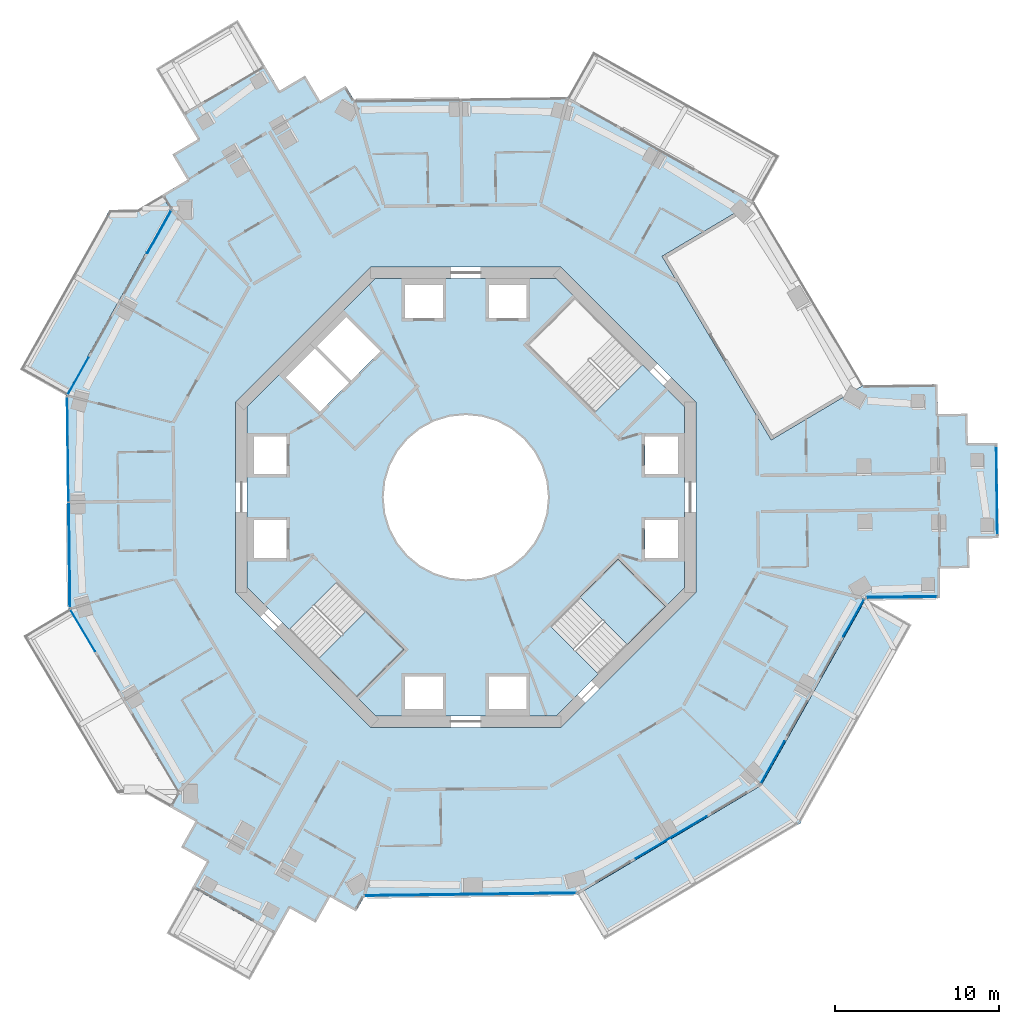
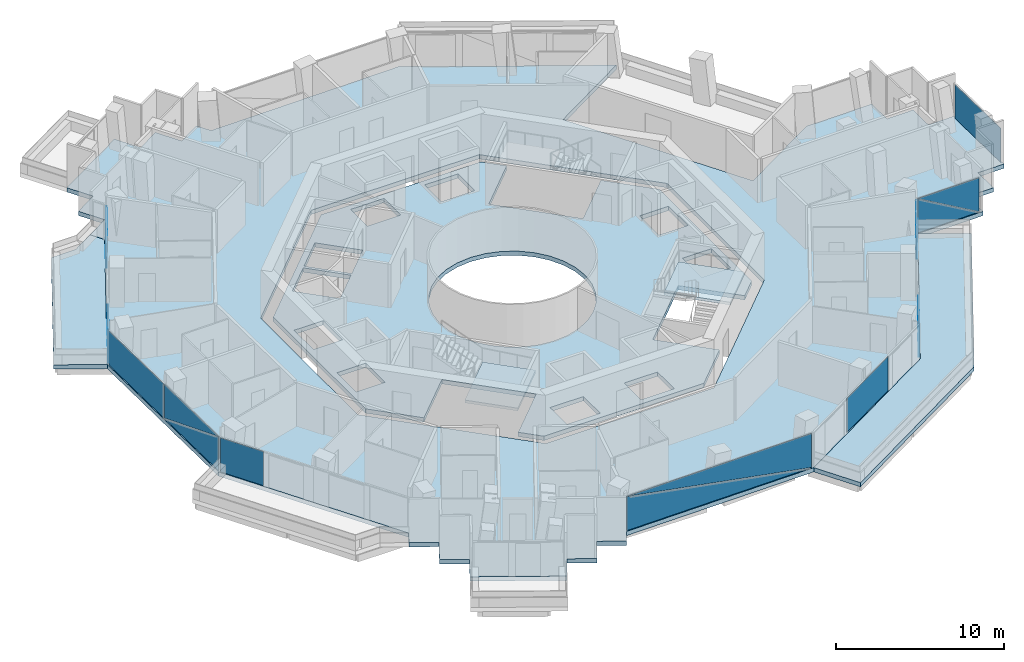
# One storey, part 11 of 21: 15 plates, 6 slabs, 10 elements without a shape of their own.
"""IFC4 building model written with IfcOpenShell, lengths in metres."""

import ifcopenshell
import ifcopenshell.guid

model = None  # the IFC model being written
_history = None  # IfcOwnerHistory: only IFC2X3 demands one
_inside = {}  # id of a spatial element -> (the spatial element, [elements in it])
_under = {}  # id of a project, library or spatial element -> (it, [spatial elements below it])
_declared = {}  # id of a project -> (the project, [libraries it declares])
_typed = {}  # id of a type object -> (the type object, [elements of that type])
_made_of = {}  # id of a material, layer set ... -> (it, [elements and type objects made of it])


def new_model(schema):
    """Start an empty IFC model of exactly this schema.

    Asked for "IFC4X3", IfcOpenShell would pick the latest addendum, in which some entities
    have other attributes; the version numbers below select the first issue.
    IFC2X3 requires an IfcOwnerHistory on every rooted entity: one is made here for all.
    """
    global model, _history
    if schema == "IFC4X3":
        model = ifcopenshell.file(schema_version=(4, 3, 0, 0))
    else:
        model = ifcopenshell.file(schema=schema)
    _inside.clear()
    _under.clear()
    _declared.clear()
    _typed.clear()
    _made_of.clear()
    _history = None
    if model.schema == "IFC2X3":
        org = make("IfcOrganization", Name="unknown")
        user = make(
            "IfcPersonAndOrganization",
            ThePerson=make("IfcPerson", FamilyName="unknown"),
            TheOrganization=org,
        )
        app = make(
            "IfcApplication",
            ApplicationDeveloper=org,
            Version="unknown",
            ApplicationFullName="unknown",
            ApplicationIdentifier="unknown",
        )
        _history = make(
            "IfcOwnerHistory",
            OwningUser=user,
            OwningApplication=app,
            ChangeAction="ADDED",
            CreationDate=0,
        )
    return model


def make(cls, **values):
    """One entity of the class cls with the attributes given. An attribute that is None is left unset."""
    return model.create_entity(
        cls, **{name: value for name, value in values.items() if value is not None}
    )


def rooted(cls, **values):
    """An entity with a GlobalId (a new one), such as an element, a storey or a relation."""
    return make(cls, GlobalId=ifcopenshell.guid.new(), OwnerHistory=_history, **values)


def si_unit(unit_type, name, prefix=None):
    """IfcSIUnit, for example si_unit("LENGTHUNIT", "METRE", prefix="MILLI")."""
    return make("IfcSIUnit", UnitType=unit_type, Prefix=prefix, Name=name)


def assignment(units):
    """IfcUnitAssignment: the units of a project."""
    return None if units is None else make("IfcUnitAssignment", Units=units)


def point(xyz):
    """IfcCartesianPoint."""
    return None if xyz is None else make("IfcCartesianPoint", Coordinates=xyz)


def direction(xyz):
    """IfcDirection."""
    return None if xyz is None else make("IfcDirection", DirectionRatios=xyz)


def frame(location, z_axis=None, x_axis=None):
    """IfcAxis2Placement3D, a coordinate frame: its origin and axes. An axis left out is left unset."""
    return make(
        "IfcAxis2Placement3D",
        Location=point(location),
        Axis=direction(z_axis),
        RefDirection=direction(x_axis),
    )


def frame_2d(location, x_axis=None):
    """IfcAxis2Placement2D, a coordinate frame in the plane: its origin and x axis."""
    return make(
        "IfcAxis2Placement2D", Location=point(location), RefDirection=direction(x_axis)
    )


def origin():
    """The frame at (0, 0, 0) with its axes left unset."""
    return frame((0.0, 0.0, 0.0))


def origin_2d():
    """The frame at (0, 0) in the plane with its x axis left unset."""
    return frame_2d((0.0, 0.0))


def place(relative_to, where):
    """IfcLocalPlacement: puts the frame where relative to a parent placement (None: the world)."""
    return make(
        "IfcLocalPlacement", PlacementRelTo=relative_to, RelativePlacement=where
    )


def context(
    kind, dimensions, precision=None, world=None, true_north=None, identifier=None
):
    """IfcGeometricRepresentationContext, for example the 3D "Model" context."""
    return make(
        "IfcGeometricRepresentationContext",
        ContextIdentifier=identifier,
        ContextType=kind,
        CoordinateSpaceDimension=dimensions,
        Precision=precision,
        WorldCoordinateSystem=world,
        TrueNorth=true_north,
    )


def subcontext(parent, identifier, kind, view, scale=None):
    """IfcGeometricRepresentationSubContext, for example "Body" below "Model"."""
    return make(
        "IfcGeometricRepresentationSubContext",
        ContextIdentifier=identifier,
        ContextType=kind,
        ParentContext=parent,
        TargetScale=scale,
        TargetView=view,
    )


def project(units=None, contexts=None):
    """IfcProject with its units and contexts."""
    return rooted(
        "IfcProject",
        Name="project",
        RepresentationContexts=contexts,
        UnitsInContext=assignment(units),
    )


def spatial(cls, under=None, at=None, **own):
    """A site, building, storey or space (cls), placed at a placement, below another one or the project."""
    s = rooted(cls, ObjectPlacement=at, **own)
    if under is not None:
        _under.setdefault(under.id(), (under, []))[1].append(s)
    return s


def polyline(points):
    """IfcPolyline through the points."""
    return make("IfcPolyline", Points=[point(p) for p in points])


def profile(cls, at=None, kind="AREA", **sizes):
    """A parametric profile (cls). Its sizes go by their IFC names, for example OverallWidth=200.0."""
    return make(cls, ProfileType=kind, Position=at, **sizes)


def rectangle(**sizes):
    """IfcRectangleProfileDef."""
    return profile("IfcRectangleProfileDef", **sizes)


def outline(outer, holes=None, kind="AREA"):
    """IfcArbitraryClosedProfileDef: a profile drawn as a closed curve; with holes, ...WithVoids."""
    if holes is None:
        return make("IfcArbitraryClosedProfileDef", ProfileType=kind, OuterCurve=outer)
    return make(
        "IfcArbitraryProfileDefWithVoids",
        ProfileType=kind,
        OuterCurve=outer,
        InnerCurves=holes,
    )


def extrude(swept, where, along, depth):
    """IfcExtrudedAreaSolid: the profile swept, set in the frame where, extruded along a direction by depth."""
    return make(
        "IfcExtrudedAreaSolid",
        SweptArea=swept,
        Position=where,
        ExtrudedDirection=direction(along),
        Depth=depth,
    )


def shape(context_of_items, identifier, shape_type, items):
    """IfcShapeRepresentation: the items that make up one representation, for example the "Body"."""
    return make(
        "IfcShapeRepresentation",
        ContextOfItems=context_of_items,
        RepresentationIdentifier=identifier,
        RepresentationType=shape_type,
        Items=items,
    )


def material(Name=None, Category=None):
    """IfcMaterial."""
    return make("IfcMaterial", Name=Name, Category=Category)


def layer(
    of_material, thickness, ventilated=None, Name=None, Category=None, Priority=None
):
    """IfcMaterialLayer: one layer of a wall or slab, of a material (None: an air gap)."""
    return make(
        "IfcMaterialLayer",
        Material=of_material,
        LayerThickness=thickness,
        IsVentilated=ventilated,
        Name=Name,
        Category=Category,
        Priority=Priority,
    )


def layer_set(layers, Name=None):
    """IfcMaterialLayerSet."""
    return make("IfcMaterialLayerSet", MaterialLayers=layers, LayerSetName=Name)


def made_of(thing, what):
    """Note that an element or type object is made of a material, layer set ...; save() writes the relation."""
    if what is not None:
        _made_of.setdefault(what.id(), (what, []))[1].append(thing)
    return thing


def type_object(cls, material=None, **own):
    """A type object (cls), such as IfcWallType, which elements share."""
    return made_of(rooted(cls, **own), material)


def element(
    cls,
    number,
    at=None,
    inside=None,
    cuts=None,
    type_object=None,
    material=None,
    context=None,
    identifier="Body",
    shape_type=None,
    held_by="IfcProductDefinitionShape",
    body=None,
    shapes=None,
    **own,
):
    """One element of the class cls, such as IfcWall. Its Tag is "e" and its number.

    at: its placement. inside: the storey or other place that contains it. cuts: it is an
    opening in that element (IfcRelVoidsElement). A single representation is given by context,
    identifier, shape_type and body (its items); several are given by shapes. held_by: the class
    of the entity that holds the representations. save() writes the other relations.
    """
    e = rooted(cls, Tag="e%d" % number, ObjectPlacement=at, **own)
    if body is not None:
        shapes = [shape(context, identifier, shape_type, body)]
    if shapes is not None:
        e.Representation = make(held_by, Representations=shapes)
    if inside is not None:
        _inside.setdefault(inside.id(), (inside, []))[1].append(e)
    if cuts is not None:
        rooted(
            "IfcRelVoidsElement", RelatingBuildingElement=cuts, RelatedOpeningElement=e
        )
    if type_object is not None:
        _typed.setdefault(type_object.id(), (type_object, []))[1].append(e)
    return made_of(e, material)


def aggregate(whole, parts):
    """IfcRelAggregates: a whole, such as a stair, and the parts it consists of."""
    return rooted("IfcRelAggregates", RelatingObject=whole, RelatedObjects=parts)


def save(model, path):
    """Write the relations noted so far, then the file.

    IfcRelAggregates (storeys below a building ...), IfcRelContainedInSpatialStructure (elements
    in a storey), IfcRelDefinesByType, IfcRelAssociatesMaterial and IfcRelDeclares: one each for
    every whole, place, type object, material and project.
    """
    for whole, parts in _under.values():
        aggregate(whole, parts)
    for where, things in _inside.values():
        rooted(
            "IfcRelContainedInSpatialStructure",
            RelatedElements=things,
            RelatingStructure=where,
        )
    for kind, things in _typed.values():
        rooted("IfcRelDefinesByType", RelatedObjects=things, RelatingType=kind)
    for what, things in _made_of.values():
        rooted("IfcRelAssociatesMaterial", RelatedObjects=things, RelatingMaterial=what)
    for by, libraries in _declared.values():
        rooted("IfcRelDeclares", RelatingContext=by, RelatedDefinitions=libraries)
    model.write(path)


model = new_model("IFC4")

# Units and contexts
model_context = context("Model", 3, precision=1e-05, world=origin(), true_north=direction((0.0, 1.0)))
body_context = subcontext(model_context, "Body", "Model", "MODEL_VIEW")
ifc_project = project(units=[si_unit("LENGTHUNIT", "METRE"), si_unit("AREAUNIT", "SQUARE_METRE"), si_unit("VOLUMEUNIT", "CUBIC_METRE"), si_unit("PLANEANGLEUNIT", "RADIAN"), si_unit("MASSUNIT", "GRAM", prefix="KILO")], contexts=[model_context])

# Site, building, storey
site_placement = place(None, origin())
site = spatial("IfcSite", under=ifc_project, at=site_placement, CompositionType="ELEMENT")
building_placement = place(site_placement, origin())
building = spatial("IfcBuilding", under=site, at=building_placement, Name="Verdalira Terraces Hotel", CompositionType="ELEMENT")
storey_placement = place(building_placement, frame((0.0, 0.0, 158.5)))
storey = spatial("IfcBuildingStorey", under=building, at=storey_placement, Name="L38", CompositionType="ELEMENT", Elevation=158.5)

# Slabs
ifc_material_1 = material(Name="Precast concrete C40/50", Category="concrete")
ifc_layer_1 = layer(ifc_material_1, 0.31005859375)
ifc_layer_set_1 = layer_set([ifc_layer_1], Name="Balcony deck 310")
slab_type_1 = type_object("IfcSlabType", Name="Balcony deck 310", PredefinedType="FLOOR", material=ifc_layer_set_1)
slab_1_placement = place(storey_placement, frame((0.0, 0.0, -0.310059)))
element("IfcSlab", 1, at=slab_1_placement, inside=storey, type_object=slab_type_1, Name="Balcony deck", PredefinedType="FLOOR", context=body_context, shape_type="SweptSolid", body=[
    extrude(outline(polyline([(-21.674805, 17.487305), (-27.12915, 7.759766), (-24.338135, 6.19458), (-17.97998, 17.533691), (-18.490967, 18.393555), (-19.97998, 17.508545), (-21.674805, 17.487305)])), origin(), (0.0, 0.0, 1.0), 0.310059),
])
slab_2_placement = place(storey_placement, frame((0.0, 0.0, -0.310059)))
element("IfcSlab", 2, at=slab_2_placement, inside=storey, type_object=slab_type_1, Name="Balcony deck", PredefinedType="FLOOR", context=body_context, shape_type="SweptSolid", body=[
    extrude(outline(polyline([(27.12915, -7.759766), (24.338135, -6.19458), (17.97998, -17.533691), (6.804199, -24.174805), (8.438965, -26.925781), (20.351807, -19.84668), (27.12915, -7.759766)])), origin(), (0.0, 0.0, 1.0), 0.310059),
])

# Curtain wall, plates
ifc_material_2 = material(Name="Clear glass", Category="glass")
ifc_layer_2 = layer(ifc_material_2, 0.14990234375)
ifc_layer_set_2 = layer_set([ifc_layer_2], Name="CW1 curtain wall")
curtain_wall_type_1 = type_object("IfcCurtainWallType", Name="CW1 curtain wall", PredefinedType="NOTDEFINED", material=ifc_layer_set_2)
curtain_wall_1_placement = place(storey_placement, origin())
curtain_wall_1 = element("IfcCurtainWall", 3, at=curtain_wall_1_placement, inside=storey, type_object=curtain_wall_type_1, Name="CW1 curtain wall L38 edge 11", PredefinedType="NOTDEFINED")
ifc_material_3 = material(Name="Clear glass", Category="glass")
ifc_layer_3 = layer(ifc_material_3, 0.028076171875)
ifc_layer_set_3 = layer_set([ifc_layer_3], Name="CW1 glass unit 28")
plate_type_1 = type_object("IfcPlateType", Name="CW1 glass unit 28", PredefinedType="CURTAIN_PANEL", material=ifc_layer_set_3)
plate_1_placement = place(storey_placement, frame((-18.656738, 16.144775, 1.237549), z_axis=(-0.872240046, 0.489078012, 0.0), x_axis=(-0.489078012, -0.872240046, 0.0)))
plate_1 = element("IfcPlate", 4, at=plate_1_placement, type_object=plate_type_1, Name="CW1 glass unit", PredefinedType="CURTAIN_PANEL", context=body_context, shape_type="SweptSolid", body=[
    extrude(outline(polyline([(-1.482422, -1.237549), (1.482422, -1.237549), (1.482422, 1.237549), (-1.482422, -1.237549)])), origin(), (0.0, 0.0, 1.0), 0.028076),
])
plate_2_placement = place(storey_placement, frame((-18.631348, 16.130615, 1.237549), z_axis=(-0.872240046, 0.489078012, 0.0), x_axis=(-0.489078012, -0.872240046, 0.0)))
plate_2 = element("IfcPlate", 5, at=plate_2_placement, type_object=plate_type_1, Name="CW1 glass unit", PredefinedType="CURTAIN_PANEL", context=body_context, shape_type="SweptSolid", body=[
    extrude(outline(polyline([(-1.482422, -1.237549), (1.482422, 1.237549), (-1.482422, 1.237549), (-1.482422, -1.237549)])), origin(), (0.0, 0.0, 1.0), 0.028076),
])
plate_3_placement = place(storey_placement, frame((-23.59668, 7.36377, 0.0), z_axis=(0.0, 0.0, 1.0), x_axis=(-0.489078012, -0.872240046, 0.0)))
plate_3 = element("IfcPlate", 6, at=plate_3_placement, type_object=plate_type_1, Name="CW1 glass unit", PredefinedType="CURTAIN_PANEL", context=body_context, shape_type="SweptSolid", body=[
    extrude(rectangle(XDim=2.564209, YDim=0.028076, at=origin_2d()), origin(), (0.0, 0.0, 1.0), 2.475098),
])
aggregate(curtain_wall_1, [plate_1, plate_2, plate_3])

curtain_wall_2_placement = place(storey_placement, origin())
curtain_wall_2 = element("IfcCurtainWall", 7, at=curtain_wall_2_placement, inside=storey, type_object=curtain_wall_type_1, Name="CW1 curtain wall L38 edge 12", PredefinedType="NOTDEFINED")
plate_4_placement = place(storey_placement, frame((-24.221924, 2.910645, 0.0), z_axis=(0.0, 0.0, 1.0), x_axis=(0.01256604, -0.999921044, 0.0)))
plate_4 = element("IfcPlate", 8, at=plate_4_placement, type_object=plate_type_1, Name="CW1 glass unit", PredefinedType="CURTAIN_PANEL", context=body_context, shape_type="SweptSolid", body=[
    extrude(rectangle(XDim=6.369873, YDim=0.028076, at=origin_2d()), origin(), (0.0, 0.0, 1.0), 2.475098),
])
plate_5_placement = place(storey_placement, frame((-24.127197, -3.518311, 1.237549), z_axis=(-0.999921044, -0.01256604, 0.0), x_axis=(0.01256604, -0.999921044, 0.0)))
plate_5 = element("IfcPlate", 9, at=plate_5_placement, type_object=plate_type_1, Name="CW1 glass unit", PredefinedType="CURTAIN_PANEL", context=body_context, shape_type="SweptSolid", body=[
    extrude(outline(polyline([(-3.185059, -1.237549), (3.185059, -1.237549), (3.185059, 1.237549), (-3.185059, -1.237549)])), origin(), (0.0, 0.0, 1.0), 0.028076),
])
plate_6_placement = place(storey_placement, frame((-24.098145, -3.518066, 1.237549), z_axis=(-0.999921044, -0.01256604, 0.0), x_axis=(0.01256604, -0.999921044, 0.0)))
plate_6 = element("IfcPlate", 10, at=plate_6_placement, type_object=plate_type_1, Name="CW1 glass unit", PredefinedType="CURTAIN_PANEL", context=body_context, shape_type="SweptSolid", body=[
    extrude(outline(polyline([(-3.185059, -1.237549), (3.185059, 1.237549), (-3.185059, 1.237549), (-3.185059, -1.237549)])), origin(), (0.0, 0.0, 1.0), 0.028076),
])
aggregate(curtain_wall_2, [plate_4, plate_5, plate_6])

# Curtain wall, plate
curtain_wall_3_placement = place(storey_placement, origin())
curtain_wall_3 = element("IfcCurtainWall", 11, at=curtain_wall_3_placement, inside=storey, type_object=curtain_wall_type_1, Name="CW1 curtain wall L38 edge 13", PredefinedType="NOTDEFINED")
plate_7_placement = place(storey_placement, frame((-23.312012, -8.109375, 0.0), z_axis=(0.0, 0.0, 1.0), x_axis=(0.510843032, -0.859674006, 0.0)))
plate_7 = element("IfcPlate", 12, at=plate_7_placement, type_object=plate_type_1, Name="CW1 glass unit", PredefinedType="CURTAIN_PANEL", context=body_context, shape_type="SweptSolid", body=[
    extrude(rectangle(XDim=2.924805, YDim=0.028076, at=origin_2d()), origin(), (0.0, 0.0, 1.0), 2.475098),
])
aggregate(curtain_wall_3, [plate_7])

# Curtain wall, plates
curtain_wall_4_placement = place(storey_placement, origin())
curtain_wall_4 = element("IfcCurtainWall", 13, at=curtain_wall_4_placement, inside=storey, type_object=curtain_wall_type_1, Name="CW1 curtain wall L38 edge 25", PredefinedType="NOTDEFINED")
plate_8_placement = place(storey_placement, frame((0.283447, -24.167725, 1.237549), z_axis=(0.01256604, -0.999921044, 0.0), x_axis=(0.999921044, 0.01256604, 0.0)))
plate_8 = element("IfcPlate", 14, at=plate_8_placement, type_object=plate_type_1, Name="CW1 glass unit", PredefinedType="CURTAIN_PANEL", context=body_context, shape_type="SweptSolid", body=[
    extrude(outline(polyline([(-6.419922, -1.237549), (6.419922, -1.237549), (-6.419922, 1.237549), (-6.419922, -1.237549)])), origin(), (0.0, 0.0, 1.0), 0.028076),
])
plate_9_placement = place(storey_placement, frame((0.283203, -24.138672, 1.237549), z_axis=(0.01256604, -0.999921044, 0.0), x_axis=(0.999921044, 0.01256604, 0.0)))
plate_9 = element("IfcPlate", 15, at=plate_9_placement, type_object=plate_type_1, Name="CW1 glass unit", PredefinedType="CURTAIN_PANEL", context=body_context, shape_type="SweptSolid", body=[
    extrude(outline(polyline([(6.419922, -1.237549), (6.419922, 1.237549), (-6.419922, 1.237549), (6.419922, -1.237549)])), origin(), (0.0, 0.0, 1.0), 0.028076),
])
aggregate(curtain_wall_4, [plate_8, plate_9])

# Curtain wall, plate
curtain_wall_5_placement = place(storey_placement, origin())
curtain_wall_5 = element("IfcCurtainWall", 16, at=curtain_wall_5_placement, inside=storey, type_object=curtain_wall_type_1, Name="CW1 curtain wall L38 edge 26", PredefinedType="NOTDEFINED")
plate_10_placement = place(storey_placement, frame((12.507568, -20.698486, 0.0), z_axis=(0.0, 0.0, 1.0), x_axis=(0.859674006, 0.510843032, 0.0)))
plate_10 = element("IfcPlate", 17, at=plate_10_placement, type_object=plate_type_1, Name="CW1 glass unit", PredefinedType="CURTAIN_PANEL", context=body_context, shape_type="SweptSolid", body=[
    extrude(rectangle(XDim=5.021729, YDim=0.028076, at=origin_2d()), origin(), (0.0, 0.0, 1.0), 2.475098),
])
aggregate(curtain_wall_5, [plate_10])

# Curtain wall, plates
curtain_wall_6_placement = place(storey_placement, origin())
curtain_wall_6 = element("IfcCurtainWall", 18, at=curtain_wall_6_placement, inside=storey, type_object=curtain_wall_type_1, Name="CW1 curtain wall L38 edge 27", PredefinedType="NOTDEFINED")
plate_11_placement = place(storey_placement, frame((18.678955, -16.134033, 0.0), z_axis=(0.0, 0.0, 1.0), x_axis=(0.489078012, 0.872240046, 0.0)))
plate_11 = element("IfcPlate", 19, at=plate_11_placement, type_object=plate_type_1, Name="CW1 glass unit", PredefinedType="CURTAIN_PANEL", context=body_context, shape_type="SweptSolid", body=[
    extrude(rectangle(XDim=2.924805, YDim=0.028076, at=origin_2d()), origin(), (0.0, 0.0, 1.0), 2.475098),
])
plate_12_placement = place(storey_placement, frame((23.606445, -7.346191, 0.0), z_axis=(0.0, 0.0, 1.0), x_axis=(0.489078012, 0.872240046, 0.0)))
plate_12 = element("IfcPlate", 20, at=plate_12_placement, type_object=plate_type_1, Name="CW1 glass unit", PredefinedType="CURTAIN_PANEL", context=body_context, shape_type="SweptSolid", body=[
    extrude(rectangle(XDim=2.604492, YDim=0.028076, at=origin_2d()), origin(), (0.0, 0.0, 1.0), 2.475098),
])
aggregate(curtain_wall_6, [plate_11, plate_12])

ifc_material_4 = material(Name="Clear glass", Category="glass")
ifc_layer_4 = layer(ifc_material_4, 0.14990234375)
ifc_layer_set_4 = layer_set([ifc_layer_4], Name="CW2 curtain wall")
curtain_wall_type_2 = type_object("IfcCurtainWallType", Name="CW2 curtain wall", PredefinedType="NOTDEFINED", material=ifc_layer_set_4)
curtain_wall_7_placement = place(storey_placement, origin())
curtain_wall_7 = element("IfcCurtainWall", 21, at=curtain_wall_7_placement, inside=storey, type_object=curtain_wall_type_2, Name="CW2 curtain wall L38 edge 28", PredefinedType="NOTDEFINED")
ifc_material_5 = material(Name="Clear glass", Category="glass")
ifc_layer_5 = layer(ifc_material_5, 0.031982421875)
ifc_layer_set_5 = layer_set([ifc_layer_5], Name="CW2 glass unit 32")
plate_type_2 = type_object("IfcPlateType", Name="CW2 glass unit 32", PredefinedType="CURTAIN_PANEL", material=ifc_layer_set_5)
plate_13_placement = place(storey_placement, frame((26.528564, -6.076172, 1.237549), z_axis=(0.01256604, -0.999921044, 0.0), x_axis=(0.999921044, 0.01256604, 0.0)))
plate_13 = element("IfcPlate", 22, at=plate_13_placement, type_object=plate_type_2, Name="CW2 glass unit", PredefinedType="CURTAIN_PANEL", context=body_context, shape_type="SweptSolid", body=[
    extrude(outline(polyline([(-2.121826, -1.237549), (2.121826, -1.237549), (-2.121826, 1.237549), (-2.121826, -1.237549)])), origin(), (0.0, 0.0, 1.0), 0.031982),
])
plate_14_placement = place(storey_placement, frame((26.528076, -6.043213, 1.237549), z_axis=(0.01256604, -0.999921044, 0.0), x_axis=(0.999921044, 0.01256604, 0.0)))
plate_14 = element("IfcPlate", 23, at=plate_14_placement, type_object=plate_type_2, Name="CW2 glass unit", PredefinedType="CURTAIN_PANEL", context=body_context, shape_type="SweptSolid", body=[
    extrude(outline(polyline([(2.121826, -1.237549), (2.121826, 1.237549), (-2.121826, 1.237549), (2.121826, -1.237549)])), origin(), (0.0, 0.0, 1.0), 0.031982),
])
aggregate(curtain_wall_7, [plate_13, plate_14])

# Curtain wall, plate
ifc_material_6 = material(Name="Clear glass", Category="glass")
ifc_layer_6 = layer(ifc_material_6, 0.14990234375)
ifc_layer_set_6 = layer_set([ifc_layer_6], Name="CW3 curtain wall")
curtain_wall_type_3 = type_object("IfcCurtainWallType", Name="CW3 curtain wall", PredefinedType="NOTDEFINED", material=ifc_layer_set_6)
curtain_wall_8_placement = place(storey_placement, origin())
curtain_wall_8 = element("IfcCurtainWall", 24, at=curtain_wall_8_placement, inside=storey, type_object=curtain_wall_type_3, Name="CW3 curtain wall L38 edge 33", PredefinedType="NOTDEFINED")
ifc_material_7 = material(Name="Clear glass", Category="glass")
ifc_layer_7 = layer(ifc_material_7, 0.035888671875)
ifc_layer_set_7 = layer_set([ifc_layer_7], Name="CW3 glass unit 36")
plate_type_3 = type_object("IfcPlateType", Name="CW3 glass unit 36", PredefinedType="CURTAIN_PANEL", material=ifc_layer_set_7)
plate_15_placement = place(storey_placement, frame((32.314453, 0.406006, 0.0), z_axis=(0.0, 0.0, 1.0), x_axis=(-0.01256604, 0.999921044, 0.0)))
plate_15 = element("IfcPlate", 25, at=plate_15_placement, type_object=plate_type_3, Name="CW3 glass unit", PredefinedType="CURTAIN_PANEL", context=body_context, shape_type="SweptSolid", body=[
    extrude(rectangle(XDim=5.340088, YDim=0.035889, at=origin_2d()), origin(), (0.0, 0.0, 1.0), 2.475098),
])
aggregate(curtain_wall_8, [plate_15])

# Slab
ifc_material_8 = material(Name="Concrete C40", Category="concrete")
ifc_layer_8 = layer(ifc_material_8, 0.31005859375)
ifc_layer_set_8 = layer_set([ifc_layer_8], Name="Core floor slab 310 mm")
slab_type_2 = type_object("IfcSlabType", Name="Core floor slab 310 mm", PredefinedType="FLOOR", material=ifc_layer_set_8)
slab_3_placement = place(storey_placement, frame((0.0, 0.0, -0.310059)))
element("IfcSlab", 26, at=slab_3_placement, inside=storey, type_object=slab_type_2, Name="L38 core floor", PredefinedType="FLOOR", context=body_context, shape_type="SweptSolid", body=[
    extrude(outline(polyline([(-5.509033, 13.300049), (5.509033, 13.300049), (6.632812, 12.176514), (3.719482, 9.263184), (7.834473, 5.148193), (10.747803, 8.061279), (13.300049, 5.509033), (13.300049, -5.509033), (12.176514, -6.632812), (9.263184, -3.719482), (5.148193, -7.834473), (8.061279, -10.747803), (5.509033, -13.300049), (-5.509033, -13.300049), (-6.632812, -12.176514), (-3.719482, -9.263184), (-7.834473, -5.148193), (-10.747803, -8.061279), (-13.300049, -5.509033), (-13.300049, 5.509033), (-5.509033, 13.300049)]), holes=[polyline([(12.899902, -3.699951), (12.899902, -1.399902), (10.899902, -1.399902), (10.899902, -3.699951), (12.899902, -3.699951)]), polyline([(12.899902, 1.399902), (12.899902, 3.699951), (10.899902, 3.699951), (10.899902, 1.399902), (12.899902, 1.399902)]), polyline([(1.399902, 10.899902), (3.699951, 10.899902), (3.699951, 12.899902), (1.399902, 12.899902), (1.399902, 10.899902)]), polyline([(-3.699951, 10.899902), (-1.399902, 10.899902), (-1.399902, 12.899902), (-3.699951, 12.899902), (-3.699951, 10.899902)]), polyline([(-12.899902, 3.699951), (-12.899902, 1.399902), (-10.899902, 1.399902), (-10.899902, 3.699951), (-12.899902, 3.699951)]), polyline([(-12.899902, -1.399902), (-12.899902, -3.699951), (-10.899902, -3.699951), (-10.899902, -1.399902), (-12.899902, -1.399902)]), polyline([(-1.399902, -10.899902), (-3.699951, -10.899902), (-3.699951, -12.899902), (-1.399902, -12.899902), (-1.399902, -10.899902)]), polyline([(3.699951, -10.899902), (1.399902, -10.899902), (1.399902, -12.899902), (3.699951, -12.899902), (3.699951, -10.899902)]), polyline([(-9.051025, 9.192383), (-6.965088, 7.106445), (-5.197266, 8.874268), (-7.283203, 10.960205), (-9.051025, 9.192383)]), polyline([(-9.192383, 9.051025), (-10.960205, 7.283203), (-8.874268, 5.197266), (-7.106445, 6.965088), (-9.192383, 9.051025)]), polyline([(3.5354, 3.5354), (2.777832, 4.157227), (1.91333, 4.619385), (0.975586, 4.903809), (0.0, 5.0), (-0.975586, 4.903809), (-1.91333, 4.619385), (-2.777832, 4.157227), (-3.5354, 3.5354), (-4.157227, 2.777832), (-4.619385, 1.91333), (-4.903809, 0.975586), (-5.0, 0.0), (-4.903809, -0.975586), (-4.619385, -1.91333), (-4.157227, -2.777832), (-3.5354, -3.5354), (-2.777832, -4.157227), (-1.91333, -4.619385), (-0.975586, -4.903809), (0.0, -5.0), (0.975586, -4.903809), (1.91333, -4.619385), (2.777832, -4.157227), (3.5354, -3.5354), (4.157227, -2.777832), (4.619385, -1.91333), (4.903809, -0.975586), (5.0, 0.0), (4.903809, 0.975586), (4.619385, 1.91333), (4.157227, 2.777832), (3.5354, 3.5354)])]), origin(), (0.0, 0.0, 1.0), 0.310059),
])

# Stair, slab
ifc_material_9 = material(Name="Concrete C40", Category="concrete")
stair_type = type_object("IfcStairType", Name="Core stair 20 risers 2000 mm wide", PredefinedType="HALF_TURN_STAIR", material=ifc_material_9)
stair_1_placement = place(storey_placement, origin())
stair_1 = element("IfcStair", 27, at=stair_1_placement, inside=storey, type_object=stair_type, Name="L38 Exit stair ST2", PredefinedType="HALF_TURN_STAIR")
ifc_material_10 = material(Name="Concrete C40", Category="concrete")
ifc_layer_9 = layer(ifc_material_10, 0.199951171875)
ifc_layer_set_9 = layer_set([ifc_layer_9], Name="Core stair landing 200 mm")
slab_type_3 = type_object("IfcSlabType", Name="Core stair landing 200 mm", PredefinedType="LANDING", material=ifc_layer_set_9)
slab_4_placement = place(storey_placement, frame((0.0, 0.0, 1.550049)))
slab_4 = element("IfcSlab", 28, at=slab_4_placement, type_object=slab_type_3, Name="ST2 landing 1", PredefinedType="LANDING", context=body_context, shape_type="SweptSolid", body=[
    extrude(outline(polyline([(-8.966553, -9.842529), (-6.646729, -12.162354), (-3.747559, -9.263184), (-6.067383, -6.943359), (-8.966553, -9.842529)])), origin(), (0.0, 0.0, 1.0), 0.199951),
])
aggregate(stair_1, [slab_4])

stair_2_placement = place(storey_placement, origin())
stair_2 = element("IfcStair", 29, at=stair_2_placement, inside=storey, type_object=stair_type, Name="L38 Exit stair ST3", PredefinedType="HALF_TURN_STAIR")
slab_5_placement = place(storey_placement, frame((0.0, 0.0, 1.550049)))
slab_5 = element("IfcSlab", 30, at=slab_5_placement, type_object=slab_type_3, Name="ST3 landing 1", PredefinedType="LANDING", context=body_context, shape_type="SweptSolid", body=[
    extrude(outline(polyline([(9.842529, -8.966553), (12.162354, -6.646729), (9.263184, -3.747559), (6.943359, -6.067383), (9.842529, -8.966553)])), origin(), (0.0, 0.0, 1.0), 0.199951),
])
aggregate(stair_2, [slab_5])

# Slab
ifc_material_11 = material(Name="Concrete C40", Category="concrete")
ifc_layer_10 = layer(ifc_material_11, 0.31005859375)
ifc_layer_set_10 = layer_set([ifc_layer_10], Name="Floor slab 310 C40")
slab_type_4 = type_object("IfcSlabType", Name="Floor slab 310 C40", PredefinedType="FLOOR", material=ifc_layer_set_10)
slab_6_placement = place(storey_placement, frame((0.0, 0.0, -0.310059)))
element("IfcSlab", 31, at=slab_6_placement, inside=storey, type_object=slab_type_4, Name="Floor slab L38", PredefinedType="FLOOR", context=body_context, shape_type="SweptSolid", body=[
    extrude(outline(polyline([(28.730713, 5.061279), (28.708008, 6.861328), (24.175293, 6.804199), (24.175293, 6.804199), (18.58667, 3.483154), (11.945312, 14.659912), (17.533203, 17.980469), (6.19458, 24.338135), (-6.804199, 24.174805), (-7.315186, 25.034424), (-8.862549, 24.11499), (-9.781982, 25.662354), (-11.32959, 24.74292), (-12.249023, 26.290283), (-17.235107, 23.327393), (-16.315674, 21.779785), (-17.863037, 20.860352), (-16.943604, 19.312988), (-18.490967, 18.393555), (-17.97998, 17.533691), (-24.338135, 6.19458), (-24.174805, -6.804199), (-17.533691, -17.97998), (-18.022949, -18.852295), (-16.452881, -19.732666), (-17.333252, -21.302734), (-15.763184, -22.183105), (-16.643555, -23.753174), (-11.584473, -26.5896), (-10.704102, -25.019775), (-9.134033, -25.899902), (-8.253906, -24.330078), (-6.683594, -25.210205), (-6.19458, -24.338135), (6.804199, -24.174805), (17.97998, -17.533691), (24.338135, -6.19458), (28.871338, -6.137695), (28.848877, -4.337891), (30.648682, -4.315186), (30.625977, -2.515381), (32.425781, -2.492676), (32.353027, 3.306885), (30.552979, 3.28418), (30.530518, 5.083984), (28.730713, 5.061279)]), holes=[polyline([(5.799072, 14.0), (14.0, 5.799072), (14.0, -5.799072), (5.799072, -14.0), (-5.799072, -14.0), (-14.0, -5.799072), (-14.0, 5.799072), (-5.799072, 14.0), (5.799072, 14.0)])]), origin(), (0.0, 0.0, 1.0), 0.310059),
])

save(model, "model.ifc")
